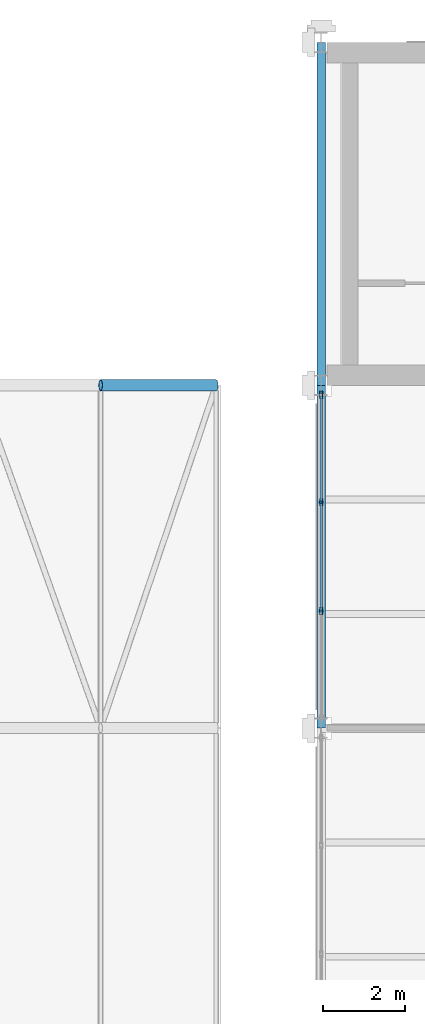
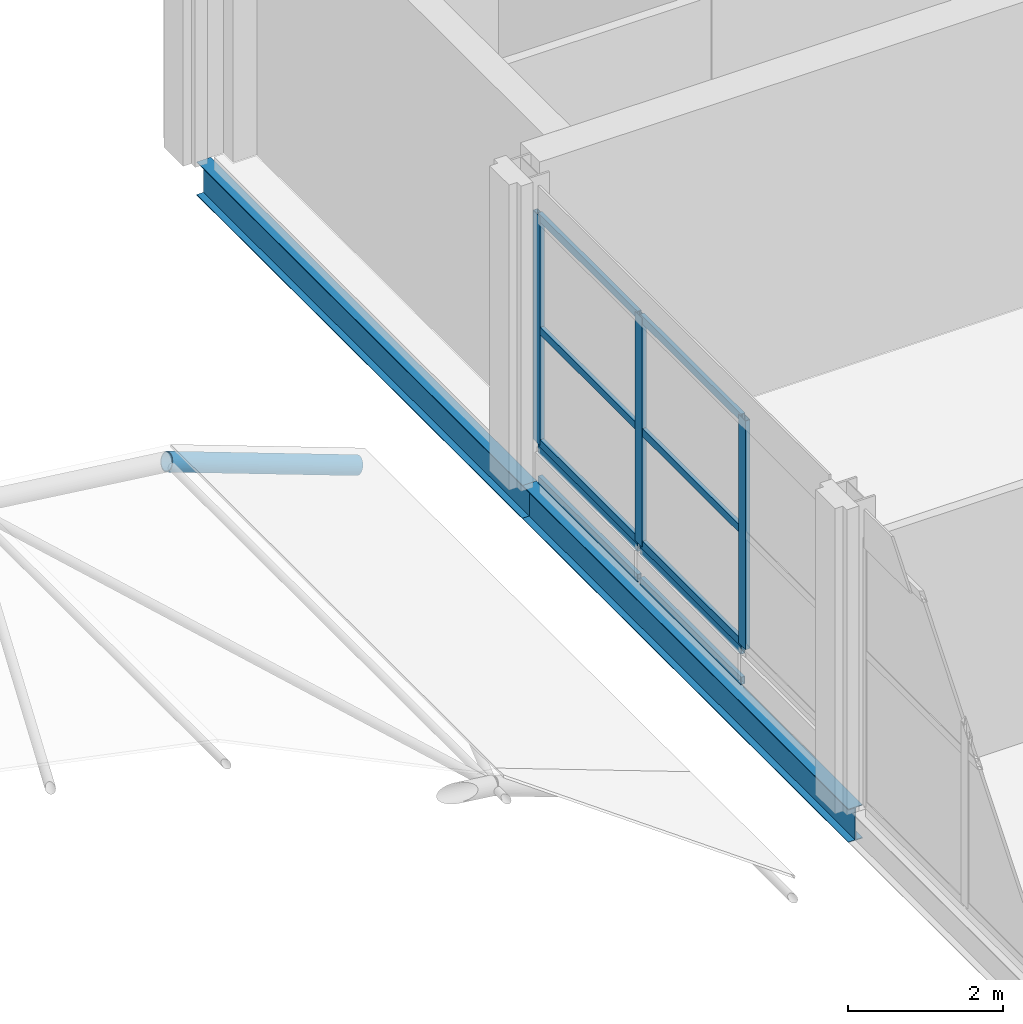
# One storey, part 126 of 167: 14 members, 2 beams, 2 elements without a shape of their own.
"""IFC4 building model written with IfcOpenShell, lengths in metres."""

from ifc_helpers import new_model, si_unit, direction, frame, origin, origin_2d, place, context, subcontext, project, spatial, hollow_rectangle, hollow_circle, i_section, extrude, material, material_profile, profile_set, type_object, element, aggregate, save


model = new_model("IFC4")

# Units and contexts
model_context = context("Model", 3, precision=1e-05, world=origin(), true_north=direction((0.0, 1.0)))
body_context = subcontext(model_context, "Body", "Model", "MODEL_VIEW")
ifc_project = project(units=[si_unit("LENGTHUNIT", "METRE"), si_unit("AREAUNIT", "SQUARE_METRE"), si_unit("VOLUMEUNIT", "CUBIC_METRE"), si_unit("PLANEANGLEUNIT", "RADIAN"), si_unit("MASSUNIT", "GRAM", prefix="KILO")], contexts=[model_context])

# Site, building, storey
site_placement = place(None, origin())
site = spatial("IfcSite", under=ifc_project, at=site_placement, CompositionType="ELEMENT")
building_placement = place(site_placement, origin())
building = spatial("IfcBuilding", under=site, at=building_placement, Name="Catenary Quay Ferry Terminal", CompositionType="ELEMENT")
storey_placement = place(building_placement, frame((0.0, 0.0, 6.0)))
storey = spatial("IfcBuildingStorey", under=building, at=storey_placement, Name="L01", CompositionType="ELEMENT", Elevation=6.0)

# Beams
ifc_material_1 = material(Name="Steel S355", Category="steel")
ifc_material_profile_1 = material_profile(ifc_material_1, i_section(OverallWidth=0.208740234375, OverallDepth=0.5283203125, WebThickness=0.009521484375, FlangeThickness=0.01318359375, at=origin_2d()), Name="UB 533x210x82")
ifc_profile_set_1 = profile_set([ifc_material_profile_1], Name="Steel S355")
beam_type = type_object("IfcBeamType", Name="B5 UB 533x210x82", PredefinedType="BEAM", material=ifc_profile_set_1)
beam_1_placement = place(storey_placement, frame((25.199951171875, 193.199951171875, -0.464111328125), z_axis=(0.0, 1.0, 0.0), x_axis=(-1.0, 0.0, 0.0)))
element("IfcBeam", 1, at=beam_1_placement, inside=storey, type_object=beam_type, Name="Beam B5-026", PredefinedType="BEAM", context=body_context, shape_type="SweptSolid", body=[
    extrude(i_section(OverallWidth=0.208740234375, OverallDepth=0.5283203125, WebThickness=0.009521484375, FlangeThickness=0.01318359375, at=origin_2d()), origin(), (0.0, 0.0, 1.0), 8.400146484375),
])
beam_2_placement = place(storey_placement, frame((25.199951171875, 201.60009765625, -0.464111328125), z_axis=(0.0, 1.0, 0.0), x_axis=(-1.0, 0.0, 0.0)))
element("IfcBeam", 2, at=beam_2_placement, inside=storey, type_object=beam_type, Name="Beam B5-027", PredefinedType="BEAM", context=body_context, shape_type="SweptSolid", body=[
    extrude(i_section(OverallWidth=0.208740234375, OverallDepth=0.5283203125, WebThickness=0.009521484375, FlangeThickness=0.01318359375, at=origin_2d()), origin(), (0.0, 0.0, 1.0), 8.39990234375),
])

# Curtain wall, members
ifc_material_2 = material(Name="Aluminium and glass", Category="aluminium")
curtain_wall_type_1 = type_object("IfcCurtainWallType", Name="CWW2", PredefinedType="NOTDEFINED", material=ifc_material_2)
curtain_wall_1_placement = place(storey_placement, origin())
curtain_wall_1 = element("IfcCurtainWall", 3, at=curtain_wall_1_placement, inside=storey, type_object=curtain_wall_type_1, Name="Wing curtain wall CW127", PredefinedType="NOTDEFINED")
ifc_material_3 = material(Name="Aluminium", Category="aluminium")
ifc_material_profile_2 = material_profile(ifc_material_3, hollow_rectangle(XDim=0.070068359375, YDim=0.179931640625, WallThickness=0.006103515625, at=origin_2d()), Name="MU3")
ifc_profile_set_2 = profile_set([ifc_material_profile_2], Name="Aluminium")
member_type_1 = type_object("IfcMemberType", Name="MU3", PredefinedType="MULLION", material=ifc_profile_set_2)
member_1_placement = place(storey_placement, frame((25.199951171875, 196.066650390625, 0.60009765625), z_axis=(0.0, 0.0, 1.0), x_axis=(-1.0, 0.0, 0.0)))
member_1 = element("IfcMember", 4, at=member_1_placement, type_object=member_type_1, Name="CW127 mullion 2", PredefinedType="MULLION", context=body_context, shape_type="SweptSolid", body=[
    extrude(hollow_rectangle(XDim=0.070068359375, YDim=0.179931640625, WallThickness=0.006103515625, at=origin_2d()), origin(), (0.0, 0.0, 1.0), 3.599853515625),
])
member_2_placement = place(storey_placement, frame((25.199951171875, 198.7333984375, 0.60009765625), z_axis=(0.0, 0.0, 1.0), x_axis=(-1.0, 0.0, 0.0)))
member_2 = element("IfcMember", 5, at=member_2_placement, type_object=member_type_1, Name="CW127 mullion 3", PredefinedType="MULLION", context=body_context, shape_type="SweptSolid", body=[
    extrude(hollow_rectangle(XDim=0.070068359375, YDim=0.179931640625, WallThickness=0.006103515625, at=origin_2d()), origin(), (0.0, 0.0, 1.0), 3.599853515625),
])
member_3_placement = place(storey_placement, frame((25.199951171875, 201.364990234375, 0.60009765625), z_axis=(0.0, 0.0, 1.0), x_axis=(-1.0, 0.0, 0.0)))
member_3 = element("IfcMember", 6, at=member_3_placement, type_object=member_type_1, Name="CW127 mullion 4", PredefinedType="MULLION", context=body_context, shape_type="SweptSolid", body=[
    extrude(hollow_rectangle(XDim=0.070068359375, YDim=0.179931640625, WallThickness=0.006103515625, at=origin_2d()), origin(), (0.0, 0.0, 1.0), 3.599853515625),
])
ifc_material_4 = material(Name="Aluminium", Category="aluminium")
ifc_material_profile_3 = material_profile(ifc_material_4, hollow_rectangle(XDim=0.06005859375, YDim=0.1201171875, WallThickness=0.0048828125, at=origin_2d()), Name="TR3")
ifc_profile_set_3 = profile_set([ifc_material_profile_3], Name="Aluminium")
member_type_2 = type_object("IfcMemberType", Name="TR3", PredefinedType="USERDEFINED", material=ifc_profile_set_3)
member_4_placement = place(storey_placement, frame((25.199951171875, 196.1015625, 0.6298828125), z_axis=(0.0, 1.0, 0.0), x_axis=(-1.0, 0.0, 0.0)))
member_4 = element("IfcMember", 7, at=member_4_placement, type_object=member_type_2, Name="CW127 transom 2.1", ObjectType="TRANSOM", PredefinedType="USERDEFINED", context=body_context, shape_type="SweptSolid", body=[
    extrude(hollow_rectangle(XDim=0.06005859375, YDim=0.1201171875, WallThickness=0.0048828125, at=origin_2d()), origin(), (0.0, 0.0, 1.0), 2.5966796875),
])
member_5_placement = place(storey_placement, frame((25.199951171875, 196.1015625, 2.39990234375), z_axis=(0.0, 1.0, 0.0), x_axis=(-1.0, 0.0, 0.0)))
member_5 = element("IfcMember", 8, at=member_5_placement, type_object=member_type_2, Name="CW127 transom 2.2", ObjectType="TRANSOM", PredefinedType="USERDEFINED", context=body_context, shape_type="SweptSolid", body=[
    extrude(hollow_rectangle(XDim=0.06005859375, YDim=0.1201171875, WallThickness=0.0048828125, at=origin_2d()), origin(), (0.0, 0.0, 1.0), 2.5966796875),
])
member_6_placement = place(storey_placement, frame((25.199951171875, 196.1015625, 4.169921875), z_axis=(0.0, 1.0, 0.0), x_axis=(-1.0, 0.0, 0.0)))
member_6 = element("IfcMember", 9, at=member_6_placement, type_object=member_type_2, Name="CW127 transom 2.3", ObjectType="TRANSOM", PredefinedType="USERDEFINED", context=body_context, shape_type="SweptSolid", body=[
    extrude(hollow_rectangle(XDim=0.06005859375, YDim=0.1201171875, WallThickness=0.0048828125, at=origin_2d()), origin(), (0.0, 0.0, 1.0), 2.5966796875),
])
member_7_placement = place(storey_placement, frame((25.199951171875, 198.768310546875, 0.6298828125), z_axis=(0.0, 1.0, 0.0), x_axis=(-1.0, 0.0, 0.0)))
member_7 = element("IfcMember", 10, at=member_7_placement, type_object=member_type_2, Name="CW127 transom 3.1", ObjectType="TRANSOM", PredefinedType="USERDEFINED", context=body_context, shape_type="SweptSolid", body=[
    extrude(hollow_rectangle(XDim=0.06005859375, YDim=0.1201171875, WallThickness=0.0048828125, at=origin_2d()), origin(), (0.0, 0.0, 1.0), 2.561767578125),
])
member_8_placement = place(storey_placement, frame((25.199951171875, 198.768310546875, 2.39990234375), z_axis=(0.0, 1.0, 0.0), x_axis=(-1.0, 0.0, 0.0)))
member_8 = element("IfcMember", 11, at=member_8_placement, type_object=member_type_2, Name="CW127 transom 3.2", ObjectType="TRANSOM", PredefinedType="USERDEFINED", context=body_context, shape_type="SweptSolid", body=[
    extrude(hollow_rectangle(XDim=0.06005859375, YDim=0.1201171875, WallThickness=0.0048828125, at=origin_2d()), origin(), (0.0, 0.0, 1.0), 2.561767578125),
])
member_9_placement = place(storey_placement, frame((25.199951171875, 198.768310546875, 4.169921875), z_axis=(0.0, 1.0, 0.0), x_axis=(-1.0, 0.0, 0.0)))
member_9 = element("IfcMember", 12, at=member_9_placement, type_object=member_type_2, Name="CW127 transom 3.3", ObjectType="TRANSOM", PredefinedType="USERDEFINED", context=body_context, shape_type="SweptSolid", body=[
    extrude(hollow_rectangle(XDim=0.06005859375, YDim=0.1201171875, WallThickness=0.0048828125, at=origin_2d()), origin(), (0.0, 0.0, 1.0), 2.561767578125),
])
aggregate(curtain_wall_1, [member_1, member_2, member_3, member_4, member_5, member_6, member_7, member_8, member_9])

ifc_material_5 = material(Name="Aluminium and glass", Category="aluminium")
curtain_wall_type_2 = type_object("IfcCurtainWallType", Name="CWW4", PredefinedType="NOTDEFINED", material=ifc_material_5)
curtain_wall_2_placement = place(storey_placement, origin())
curtain_wall_2 = element("IfcCurtainWall", 13, at=curtain_wall_2_placement, inside=storey, type_object=curtain_wall_type_2, Name="Wing base curtain wall CW174", PredefinedType="NOTDEFINED")
member_10_placement = place(storey_placement, frame((25.199951171875, 196.1015625, 0.030029296875), z_axis=(0.0, 1.0, 0.0), x_axis=(-1.0, 0.0, 0.0)))
member_10 = element("IfcMember", 14, at=member_10_placement, type_object=member_type_2, Name="CW174 transom 2.1", ObjectType="TRANSOM", PredefinedType="USERDEFINED", context=body_context, shape_type="SweptSolid", body=[
    extrude(hollow_rectangle(XDim=0.06005859375, YDim=0.1201171875, WallThickness=0.0048828125, at=origin_2d()), origin(), (0.0, 0.0, 1.0), 2.5966796875),
])
member_11_placement = place(storey_placement, frame((25.199951171875, 196.1015625, 0.510009765625), z_axis=(0.0, 1.0, 0.0), x_axis=(-1.0, 0.0, 0.0)))
member_11 = element("IfcMember", 15, at=member_11_placement, type_object=member_type_2, Name="CW174 transom 2.2", ObjectType="TRANSOM", PredefinedType="USERDEFINED", context=body_context, shape_type="SweptSolid", body=[
    extrude(hollow_rectangle(XDim=0.06005859375, YDim=0.1201171875, WallThickness=0.0048828125, at=origin_2d()), origin(), (0.0, 0.0, 1.0), 2.5966796875),
])
member_12_placement = place(storey_placement, frame((25.199951171875, 198.768310546875, 0.030029296875), z_axis=(0.0, 1.0, 0.0), x_axis=(-1.0, 0.0, 0.0)))
member_12 = element("IfcMember", 16, at=member_12_placement, type_object=member_type_2, Name="CW174 transom 3.1", ObjectType="TRANSOM", PredefinedType="USERDEFINED", context=body_context, shape_type="SweptSolid", body=[
    extrude(hollow_rectangle(XDim=0.06005859375, YDim=0.1201171875, WallThickness=0.0048828125, at=origin_2d()), origin(), (0.0, 0.0, 1.0), 2.561767578125),
])
member_13_placement = place(storey_placement, frame((25.199951171875, 198.768310546875, 0.510009765625), z_axis=(0.0, 1.0, 0.0), x_axis=(-1.0, 0.0, 0.0)))
member_13 = element("IfcMember", 17, at=member_13_placement, type_object=member_type_2, Name="CW174 transom 3.2", ObjectType="TRANSOM", PredefinedType="USERDEFINED", context=body_context, shape_type="SweptSolid", body=[
    extrude(hollow_rectangle(XDim=0.06005859375, YDim=0.1201171875, WallThickness=0.0048828125, at=origin_2d()), origin(), (0.0, 0.0, 1.0), 2.561767578125),
])
aggregate(curtain_wall_2, [member_10, member_11, member_12, member_13])

# Member
ifc_material_6 = material(Name="Steel S355", Category="steel")
ifc_material_profile_4 = material_profile(ifc_material_6, hollow_circle(Radius=0.136474609375, WallThickness=0.012451171875, at=origin_2d()), Name="CHS 273x12.5")
ifc_profile_set_4 = profile_set([ifc_material_profile_4], Name="Steel S355")
member_type_3 = type_object("IfcMemberType", Name="VR2 CHS 273x12.5", PredefinedType="RAFTER", material=ifc_profile_set_4)
member_14_placement = place(storey_placement, frame((19.797119140625, 201.60009765625, 2.031005859375), z_axis=(0.93793103669, 0.0, -0.346821813636), x_axis=(0.0, 1.0, 0.0)))
element("IfcMember", 18, at=member_14_placement, inside=storey, type_object=member_type_3, Name="rib FC-17-05", PredefinedType="RAFTER", context=body_context, shape_type="SweptSolid", body=[
    extrude(hollow_circle(Radius=0.136474609375, WallThickness=0.012451171875, at=origin_2d()), origin(), (0.0, 0.0, 1.0), 3.019287109375),
])

save(model, "model.ifc")
